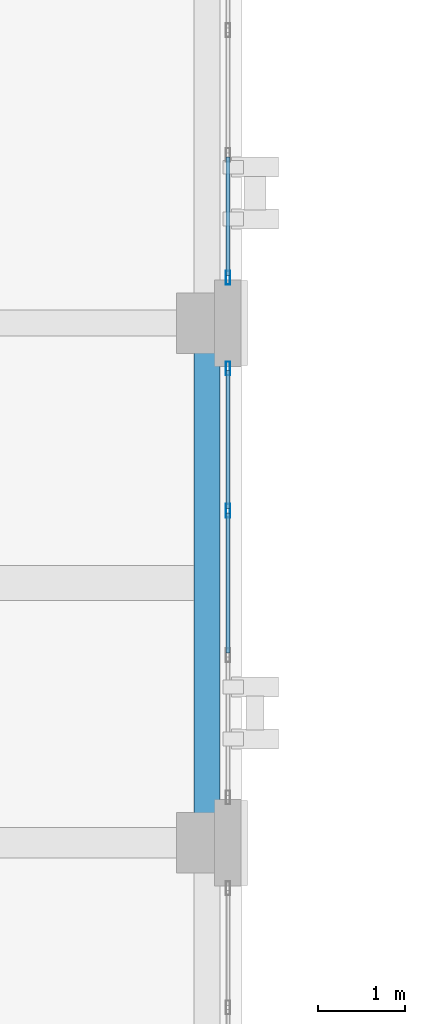
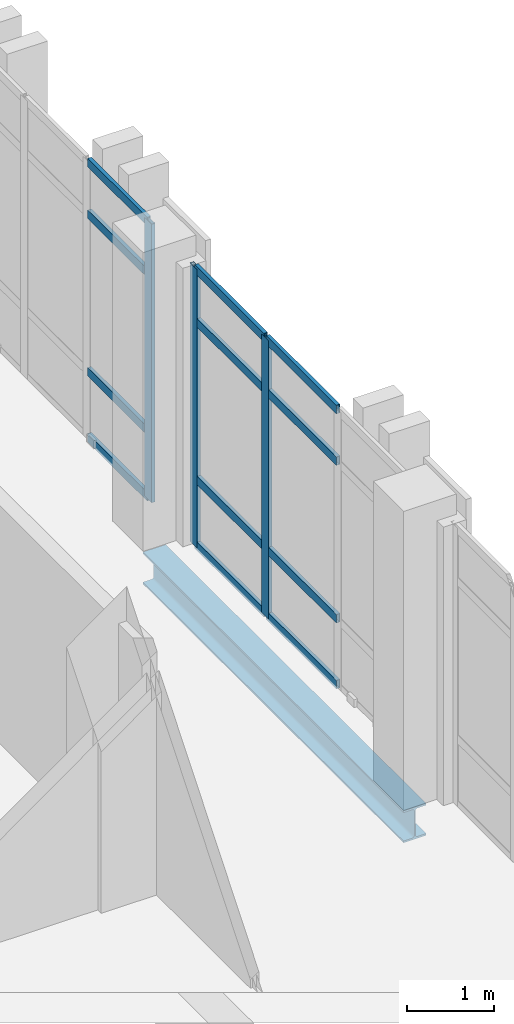
# One storey, part 76 of 193: 15 members, 1 beam, 2 elements without a shape of their own.
"""IFC4 building model written with IfcOpenShell, lengths in metres."""

from ifc_helpers import new_model, si_unit, direction, frame, origin, origin_2d, place, context, subcontext, project, spatial, hollow_rectangle, i_section, extrude, material, layer, layer_set, material_profile, profile_set, type_object, element, aggregate, save


model = new_model("IFC4")

# Units and contexts
model_context = context("Model", 3, precision=1e-05, world=origin(), true_north=direction((0.0, 1.0)))
body_context = subcontext(model_context, "Body", "Model", "MODEL_VIEW")
ifc_project = project(units=[si_unit("LENGTHUNIT", "METRE"), si_unit("AREAUNIT", "SQUARE_METRE"), si_unit("VOLUMEUNIT", "CUBIC_METRE"), si_unit("PLANEANGLEUNIT", "RADIAN"), si_unit("MASSUNIT", "GRAM", prefix="KILO")], contexts=[model_context])

# Site, building, storey
site_placement = place(None, origin())
site = spatial("IfcSite", under=ifc_project, at=site_placement, CompositionType="ELEMENT")
building_placement = place(site_placement, origin())
building = spatial("IfcBuilding", under=site, at=building_placement, Name="Qalavern Law Courts", CompositionType="ELEMENT")
storey_placement = place(building_placement, frame((0.0, 0.0, 10.199951171875)))
storey = spatial("IfcBuildingStorey", under=building, at=storey_placement, Name="L02", CompositionType="ELEMENT", Elevation=10.199951171875)

# Curtain wall, members
ifc_material_1 = material(Name="Anodised aluminium and insulated glazing", Category="aluminium")
ifc_layer = layer(ifc_material_1, 0.172119140625)
ifc_layer_set = layer_set([ifc_layer], Name="Anodised aluminium and insulated glazing")
curtain_wall_type = type_object("IfcCurtainWallType", Name="ENV-CW-COURT", PredefinedType="USERDEFINED", material=ifc_layer_set)
curtain_wall_1_placement = place(storey_placement, origin())
curtain_wall_1 = element("IfcCurtainWall", 1, at=curtain_wall_1_placement, inside=storey, type_object=curtain_wall_type, Name="V3 unitised curtain wall L02 east 5", ObjectType="UNITISED CURTAIN WALL", PredefinedType="USERDEFINED")
ifc_material_2 = material(Name="Anodised aluminium", Category="aluminium")
ifc_material_profile_1 = material_profile(ifc_material_2, hollow_rectangle(XDim=0.048095703125, YDim=0.159912109375, WallThickness=0.00390625, at=origin_2d()), Name="ALU MULLION 48x160")
ifc_profile_set_1 = profile_set([ifc_material_profile_1], Name="Anodised aluminium")
member_type_1 = type_object("IfcMemberType", Name="ENV-CWM-48x160", PredefinedType="MULLION", material=ifc_profile_set_1)
member_1_placement = place(storey_placement, frame((18.64501953125, 77.2333984375, 0.0), z_axis=(0.0, 0.0, 1.0), x_axis=(-1.0, 0.0, 0.0)))
member_1 = element("IfcMember", 2, at=member_1_placement, type_object=member_type_1, Name="CW-03 mullion 3", PredefinedType="MULLION", context=body_context, shape_type="SweptSolid", body=[
    extrude(hollow_rectangle(XDim=0.048095703125, YDim=0.159912109375, WallThickness=0.00390625, at=origin_2d()), origin(), (0.0, 0.0, 1.0), 3.9150390625),
])
member_2_placement = place(storey_placement, frame((18.64501953125, 78.8759765625, 0.0), z_axis=(0.0, 0.0, 1.0), x_axis=(-1.0, 0.0, 0.0)))
member_2 = element("IfcMember", 3, at=member_2_placement, type_object=member_type_1, Name="CW-03 mullion 4", PredefinedType="MULLION", context=body_context, shape_type="SweptSolid", body=[
    extrude(hollow_rectangle(XDim=0.048095703125, YDim=0.159912109375, WallThickness=0.00390625, at=origin_2d()), origin(), (0.0, 0.0, 1.0), 3.9150390625),
])

# Curtain wall, member
curtain_wall_2_placement = place(storey_placement, origin())
curtain_wall_2 = element("IfcCurtainWall", 4, at=curtain_wall_2_placement, inside=storey, type_object=curtain_wall_type, Name="V3 unitised curtain wall L02 east 6", ObjectType="UNITISED CURTAIN WALL", PredefinedType="USERDEFINED")
member_3_placement = place(storey_placement, frame((18.64501953125, 79.924072265625, 0.0), z_axis=(0.0, 0.0, 1.0), x_axis=(-1.0, 0.0, 0.0)))
member_3 = element("IfcMember", 5, at=member_3_placement, type_object=member_type_1, Name="CW-03 mullion 1", PredefinedType="MULLION", context=body_context, shape_type="SweptSolid", body=[
    extrude(hollow_rectangle(XDim=0.048095703125, YDim=0.159912109375, WallThickness=0.00390625, at=origin_2d()), origin(), (0.0, 0.0, 1.0), 3.9150390625),
])

# Member
ifc_material_profile_2 = material_profile(ifc_material_2, hollow_rectangle(XDim=0.048095703125, YDim=0.1201171875, WallThickness=0.00390625, at=origin_2d()), Name="ALU TRANSOM 48x120")
ifc_profile_set_2 = profile_set([ifc_material_profile_2], Name="Anodised aluminium")
member_type_2 = type_object("IfcMemberType", Name="ENV-CWT-48x120", PredefinedType="USERDEFINED", material=ifc_profile_set_2)
member_4_placement = place(storey_placement, frame((18.64501953125, 75.590576171875, 0.024169921875), z_axis=(0.0, 1.0, 0.0), x_axis=(-1.0, 0.0, 0.0)))
member_4 = element("IfcMember", 6, at=member_4_placement, type_object=member_type_2, Name="CW-03 transom 2.1", ObjectType="TRANSOM", PredefinedType="USERDEFINED", context=body_context, shape_type="SweptSolid", body=[
    extrude(hollow_rectangle(XDim=0.048095703125, YDim=0.1201171875, WallThickness=0.00390625, at=origin_2d()), origin(), (0.0, 0.0, 1.0), 1.61865234375),
])

member_5_placement = place(storey_placement, frame((18.64501953125, 75.590576171875, 0.949951171875), z_axis=(0.0, 1.0, 0.0), x_axis=(-1.0, 0.0, 0.0)))
member_5 = element("IfcMember", 7, at=member_5_placement, type_object=member_type_2, Name="CW-03 transom 2.2", ObjectType="TRANSOM", PredefinedType="USERDEFINED", context=body_context, shape_type="SweptSolid", body=[
    extrude(hollow_rectangle(XDim=0.048095703125, YDim=0.1201171875, WallThickness=0.00390625, at=origin_2d()), origin(), (0.0, 0.0, 1.0), 1.61865234375),
])

member_6_placement = place(storey_placement, frame((18.64501953125, 75.590576171875, 3.1650390625), z_axis=(0.0, 1.0, 0.0), x_axis=(-1.0, 0.0, 0.0)))
member_6 = element("IfcMember", 8, at=member_6_placement, type_object=member_type_2, Name="CW-03 transom 2.3", ObjectType="TRANSOM", PredefinedType="USERDEFINED", context=body_context, shape_type="SweptSolid", body=[
    extrude(hollow_rectangle(XDim=0.048095703125, YDim=0.1201171875, WallThickness=0.00390625, at=origin_2d()), origin(), (0.0, 0.0, 1.0), 1.61865234375),
])

member_7_placement = place(storey_placement, frame((18.64501953125, 75.590576171875, 3.89111328125), z_axis=(0.0, 1.0, 0.0), x_axis=(-1.0, 0.0, 0.0)))
member_7 = element("IfcMember", 9, at=member_7_placement, type_object=member_type_2, Name="CW-03 transom 2.4", ObjectType="TRANSOM", PredefinedType="USERDEFINED", context=body_context, shape_type="SweptSolid", body=[
    extrude(hollow_rectangle(XDim=0.048095703125, YDim=0.1201171875, WallThickness=0.00390625, at=origin_2d()), origin(), (0.0, 0.0, 1.0), 1.61865234375),
])

member_8_placement = place(storey_placement, frame((18.64501953125, 77.25732421875, 0.024169921875), z_axis=(0.0, 1.0, 0.0), x_axis=(-1.0, 0.0, 0.0)))
member_8 = element("IfcMember", 10, at=member_8_placement, type_object=member_type_2, Name="CW-03 transom 3.1", ObjectType="TRANSOM", PredefinedType="USERDEFINED", context=body_context, shape_type="SweptSolid", body=[
    extrude(hollow_rectangle(XDim=0.048095703125, YDim=0.1201171875, WallThickness=0.00390625, at=origin_2d()), origin(), (0.0, 0.0, 1.0), 1.5947265625),
])

member_9_placement = place(storey_placement, frame((18.64501953125, 77.25732421875, 0.949951171875), z_axis=(0.0, 1.0, 0.0), x_axis=(-1.0, 0.0, 0.0)))
member_9 = element("IfcMember", 11, at=member_9_placement, type_object=member_type_2, Name="CW-03 transom 3.2", ObjectType="TRANSOM", PredefinedType="USERDEFINED", context=body_context, shape_type="SweptSolid", body=[
    extrude(hollow_rectangle(XDim=0.048095703125, YDim=0.1201171875, WallThickness=0.00390625, at=origin_2d()), origin(), (0.0, 0.0, 1.0), 1.5947265625),
])

member_10_placement = place(storey_placement, frame((18.64501953125, 77.25732421875, 3.1650390625), z_axis=(0.0, 1.0, 0.0), x_axis=(-1.0, 0.0, 0.0)))
member_10 = element("IfcMember", 12, at=member_10_placement, type_object=member_type_2, Name="CW-03 transom 3.3", ObjectType="TRANSOM", PredefinedType="USERDEFINED", context=body_context, shape_type="SweptSolid", body=[
    extrude(hollow_rectangle(XDim=0.048095703125, YDim=0.1201171875, WallThickness=0.00390625, at=origin_2d()), origin(), (0.0, 0.0, 1.0), 1.5947265625),
])

member_11_placement = place(storey_placement, frame((18.64501953125, 77.25732421875, 3.89111328125), z_axis=(0.0, 1.0, 0.0), x_axis=(-1.0, 0.0, 0.0)))
member_11 = element("IfcMember", 13, at=member_11_placement, type_object=member_type_2, Name="CW-03 transom 3.4", ObjectType="TRANSOM", PredefinedType="USERDEFINED", context=body_context, shape_type="SweptSolid", body=[
    extrude(hollow_rectangle(XDim=0.048095703125, YDim=0.1201171875, WallThickness=0.00390625, at=origin_2d()), origin(), (0.0, 0.0, 1.0), 1.5947265625),
])

aggregate(curtain_wall_1, [member_1, member_2, member_4, member_5, member_6, member_7, member_8, member_9, member_10, member_11])

member_12_placement = place(storey_placement, frame((18.64501953125, 79.947998046875, 0.024169921875), z_axis=(0.0, 1.0, 0.0), x_axis=(-1.0, 0.0, 0.0)))
member_12 = element("IfcMember", 14, at=member_12_placement, type_object=member_type_2, Name="CW-03 transom 1.1", ObjectType="TRANSOM", PredefinedType="USERDEFINED", context=body_context, shape_type="SweptSolid", body=[
    extrude(hollow_rectangle(XDim=0.048095703125, YDim=0.1201171875, WallThickness=0.00390625, at=origin_2d()), origin(), (0.0, 0.0, 1.0), 1.367919921875),
])

member_13_placement = place(storey_placement, frame((18.64501953125, 79.947998046875, 0.949951171875), z_axis=(0.0, 1.0, 0.0), x_axis=(-1.0, 0.0, 0.0)))
member_13 = element("IfcMember", 15, at=member_13_placement, type_object=member_type_2, Name="CW-03 transom 1.2", ObjectType="TRANSOM", PredefinedType="USERDEFINED", context=body_context, shape_type="SweptSolid", body=[
    extrude(hollow_rectangle(XDim=0.048095703125, YDim=0.1201171875, WallThickness=0.00390625, at=origin_2d()), origin(), (0.0, 0.0, 1.0), 1.367919921875),
])

member_14_placement = place(storey_placement, frame((18.64501953125, 79.947998046875, 3.1650390625), z_axis=(0.0, 1.0, 0.0), x_axis=(-1.0, 0.0, 0.0)))
member_14 = element("IfcMember", 16, at=member_14_placement, type_object=member_type_2, Name="CW-03 transom 1.3", ObjectType="TRANSOM", PredefinedType="USERDEFINED", context=body_context, shape_type="SweptSolid", body=[
    extrude(hollow_rectangle(XDim=0.048095703125, YDim=0.1201171875, WallThickness=0.00390625, at=origin_2d()), origin(), (0.0, 0.0, 1.0), 1.367919921875),
])

member_15_placement = place(storey_placement, frame((18.64501953125, 79.947998046875, 3.89111328125), z_axis=(0.0, 1.0, 0.0), x_axis=(-1.0, 0.0, 0.0)))
member_15 = element("IfcMember", 17, at=member_15_placement, type_object=member_type_2, Name="CW-03 transom 1.4", ObjectType="TRANSOM", PredefinedType="USERDEFINED", context=body_context, shape_type="SweptSolid", body=[
    extrude(hollow_rectangle(XDim=0.048095703125, YDim=0.1201171875, WallThickness=0.00390625, at=origin_2d()), origin(), (0.0, 0.0, 1.0), 1.367919921875),
])

aggregate(curtain_wall_2, [member_3, member_12, member_13, member_14, member_15])

# Beam
ifc_material_3 = material(Name="Steel S355", Category="steel")
ifc_material_profile_3 = material_profile(ifc_material_3, i_section(OverallWidth=0.300048828125, OverallDepth=0.449951171875, WebThickness=0.013916015625, FlangeThickness=0.02587890625, FilletRadius=0.027099609375, at=origin_2d()), Name="HEB 450")
ifc_profile_set_3 = profile_set([ifc_material_profile_3], Name="Steel S355")
beam_type = type_object("IfcBeamType", Name="STR-SP-HEB450", PredefinedType="SPANDREL", material=ifc_profile_set_3)
beam_placement = place(storey_placement, frame((18.39990234375, 73.39990234375, -0.514892578125), z_axis=(0.0, 1.0, 0.0), x_axis=(-1.0, 0.0, 0.0)))
element("IfcBeam", 18, at=beam_placement, inside=storey, type_object=beam_type, Name="V3 Y-beam 3-5 L02", PredefinedType="SPANDREL", context=body_context, shape_type="SweptSolid", body=[
    extrude(i_section(OverallWidth=0.300048828125, OverallDepth=0.449951171875, WebThickness=0.013916015625, FlangeThickness=0.02587890625, FilletRadius=0.027099609375, at=origin_2d()), origin(), (0.0, 0.0, 1.0), 6.0),
])

save(model, "model.ifc")
